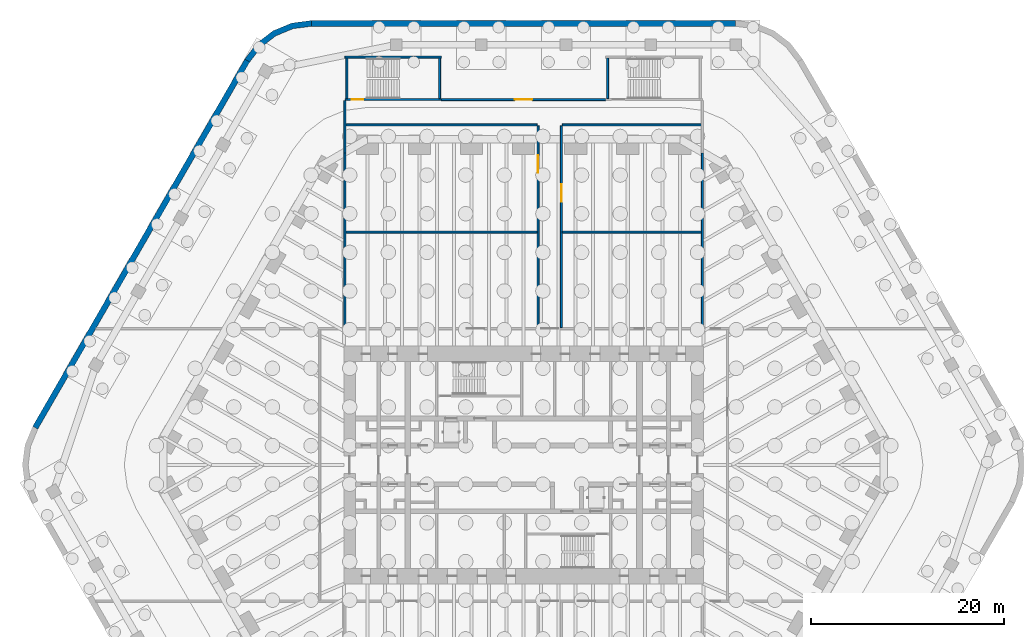
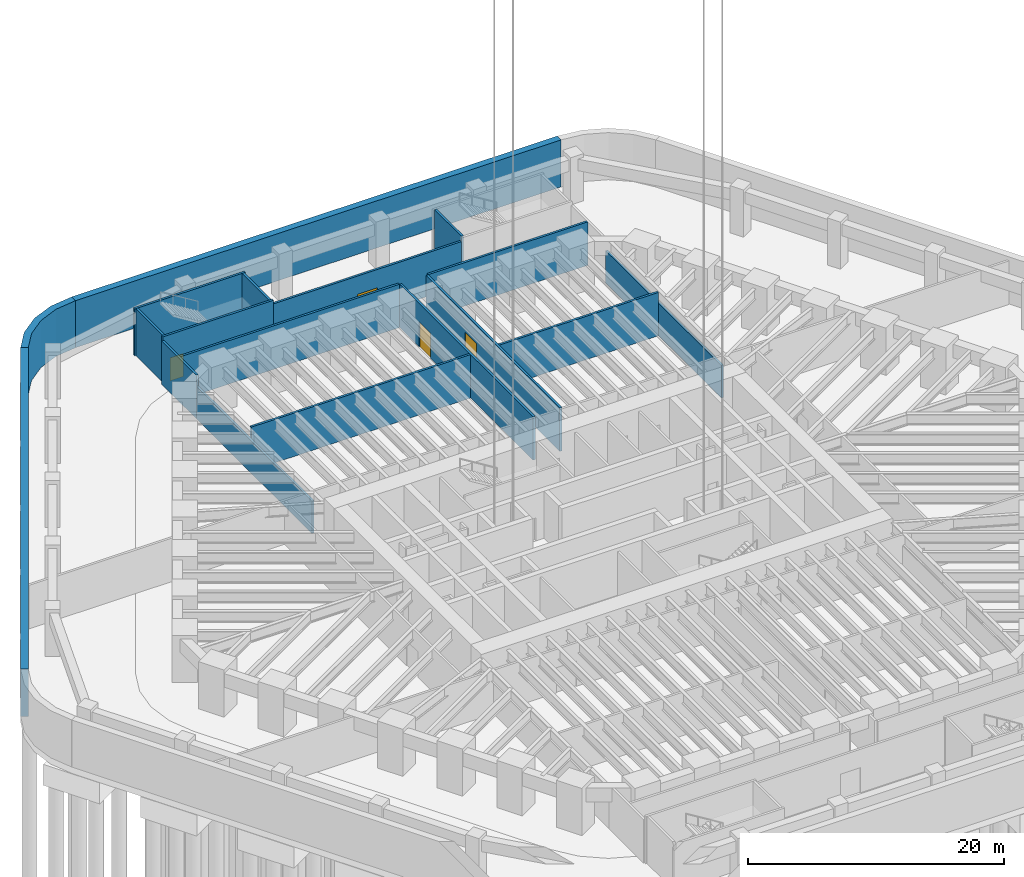
# One storey, part 12 of 17: 18 walls, 4 doors, 4 openings.
"""IFC4 building model written with IfcOpenShell, lengths in metres."""

from ifc_helpers import new_model, si_unit, direction, frame, frame_2d, origin, place, context, subcontext, project, spatial, polyline, rectangle, outline, extrude, material, layer, layer_set, type_object, element, fill, save


model = new_model("IFC4")

# Units and contexts
model_context = context("Model", 3, precision=1e-05, world=origin(), true_north=direction((0.0, 1.0)))
body_context = subcontext(model_context, "Body", "Model", "MODEL_VIEW")
ifc_project = project(units=[si_unit("LENGTHUNIT", "METRE"), si_unit("AREAUNIT", "SQUARE_METRE"), si_unit("VOLUMEUNIT", "CUBIC_METRE"), si_unit("PLANEANGLEUNIT", "RADIAN"), si_unit("MASSUNIT", "GRAM", prefix="KILO")], contexts=[model_context])

# Site, building, storey
site_placement = place(None, origin())
site = spatial("IfcSite", under=ifc_project, at=site_placement, CompositionType="ELEMENT")
building_placement = place(site_placement, origin())
building = spatial("IfcBuilding", under=site, at=building_placement, Name="Tarfa Lantern Tower", CompositionType="ELEMENT")
storey_placement = place(building_placement, frame((0.0, 0.0, -9.0)))
storey = spatial("IfcBuildingStorey", under=building, at=storey_placement, Name="B2", CompositionType="ELEMENT", Elevation=-9.0)

# Walls
ifc_material_1 = material(Name="Concrete blockwork", Category="masonry")
ifc_layer_1 = layer(ifc_material_1, 0.199951171875)
ifc_layer_set_1 = layer_set([ifc_layer_1], Name="IW1 BLOCKWORK PARTITION 200 EI 120")
wall_type_1 = type_object("IfcWallType", Name="IW1 BLOCKWORK PARTITION 200 EI 120", PredefinedType="PARTITIONING", material=ifc_layer_set_1)
wall_1_placement = place(storey_placement, frame((-18.5, 14.199951171875, 0.0), z_axis=(0.0, 0.0, 1.0), x_axis=(0.0, 1.0, 0.0)))
element("IfcWall", 1, at=wall_1_placement, inside=storey, type_object=wall_type_1, Name="Fire-rated partition", PredefinedType="PARTITIONING", context=body_context, shape_type="SweptSolid", body=[
    extrude(rectangle(XDim=18.09033203125, YDim=0.199951171875, at=frame_2d((9.045166015625, 0.0))), origin(), (0.0, 0.0, 1.0), 3.093994140625),
])
wall_2_placement = place(storey_placement, frame((-18.5, 32.290283203125, 0.0), z_axis=(0.0, 0.0, 1.0), x_axis=(0.0, 1.0, 0.0)))
element("IfcWall", 2, at=wall_2_placement, inside=storey, type_object=wall_type_1, Name="Fire-rated partition", PredefinedType="PARTITIONING", context=body_context, shape_type="SweptSolid", body=[
    extrude(rectangle(XDim=5.40966796875, YDim=0.199951171875, at=frame_2d((2.704833984375, 0.0))), origin(), (0.0, 0.0, 1.0), 4.14990234375),
])
wall_3_placement = place(storey_placement, frame((18.5, 14.199951171875, 0.0), z_axis=(0.0, 0.0, 1.0), x_axis=(0.0, 1.0, 0.0)))
element("IfcWall", 3, at=wall_3_placement, inside=storey, type_object=wall_type_1, Name="Fire-rated partition", PredefinedType="PARTITIONING", context=body_context, shape_type="SweptSolid", body=[
    extrude(rectangle(XDim=18.09033203125, YDim=0.199951171875, at=frame_2d((9.045166015625, 0.0))), origin(), (0.0, 0.0, 1.0), 3.093994140625),
])

# Wall, opening, door
wall_4_placement = place(storey_placement, frame((1.5, 14.199951171875, 0.0), z_axis=(0.0, 0.0, 1.0), x_axis=(0.0, 1.0, 0.0)))
wall_4 = element("IfcWall", 4, at=wall_4_placement, inside=storey, type_object=wall_type_1, Name="Fire-rated partition", PredefinedType="PARTITIONING", context=body_context, shape_type="SweptSolid", body=[
    extrude(rectangle(XDim=20.900146484375, YDim=0.199951171875, at=frame_2d((10.4501953125, 0.0))), origin(), (0.0, 0.0, 1.0), 4.14990234375),
])
opening_1_placement = place(wall_4_placement, frame((16.050048828125, 0.0, 0.0)))
opening_1 = element("IfcOpeningElement", 5, at=opening_1_placement, cuts=wall_4, Name="Opening D51", PredefinedType="OPENING", context=body_context, shape_type="SweptSolid", body=[
    extrude(rectangle(XDim=1.800048828125, YDim=2.39990234375, at=frame_2d((0.89990234375, 1.199951171875))), frame((0.0, 0.10986328125, 0.0), z_axis=(0.0, -1.0, 0.0), x_axis=(1.0, 0.0, 0.0)), (0.0, 0.0, 1.0), 0.219970703125),
])
ifc_material_2 = material(Name="Steel fire door", Category="steel")
door_type_1 = type_object("IfcDoorType", Name="DF7 FIRE DOOR 1800x2400", OperationType="DOUBLE_DOOR_SINGLE_SWING", PredefinedType="DOOR", material=ifc_material_2)
door_1_placement = place(opening_1_placement, origin())
door_1 = element("IfcDoor", 6, at=door_1_placement, inside=storey, type_object=door_type_1, Name="Electrical switch room door", OperationType="DOUBLE_DOOR_SINGLE_SWING", OverallHeight=2.39990234375, OverallWidth=1.800048828125, PredefinedType="DOOR", context=body_context, shape_type="SweptSolid", body=[
    extrude(rectangle(XDim=1.800048828125, YDim=2.39990234375, at=frame_2d((0.89990234375, 1.199951171875))), frame((0.0, 0.02490234375, 0.0), z_axis=(0.0, -1.0, 0.0), x_axis=(1.0, 0.0, 0.0)), (0.0, 0.0, 1.0), 0.050048828125),
])
fill(opening_1, door_1)

wall_5_placement = place(storey_placement, frame((3.89990234375, 14.199951171875, 0.0), z_axis=(0.0, 0.0, 1.0), x_axis=(0.0, 1.0, 0.0)))
wall_5 = element("IfcWall", 7, at=wall_5_placement, inside=storey, type_object=wall_type_1, Name="Fire-rated partition", PredefinedType="PARTITIONING", context=body_context, shape_type="SweptSolid", body=[
    extrude(rectangle(XDim=20.900146484375, YDim=0.199951171875, at=frame_2d((10.4501953125, 0.0))), origin(), (0.0, 0.0, 1.0), 4.14990234375),
])
opening_2_placement = place(wall_5_placement, frame((13.050048828125, 0.0, 0.0)))
opening_2 = element("IfcOpeningElement", 8, at=opening_2_placement, cuts=wall_5, Name="Opening D49", PredefinedType="OPENING", context=body_context, shape_type="SweptSolid", body=[
    extrude(rectangle(XDim=1.800048828125, YDim=2.39990234375, at=frame_2d((0.89990234375, 1.199951171875))), frame((0.0, 0.10986328125, 0.0), z_axis=(0.0, -1.0, 0.0), x_axis=(1.0, 0.0, 0.0)), (0.0, 0.0, 1.0), 0.219970703125),
])
door_2_placement = place(opening_2_placement, frame((1.800048828125, 0.0, 0.0), z_axis=(0.0, 0.0, 1.0), x_axis=(-1.0, 0.0, 0.0)))
door_2 = element("IfcDoor", 9, at=door_2_placement, inside=storey, type_object=door_type_1, Name="Sprinkler pump room door", OperationType="DOUBLE_DOOR_SINGLE_SWING", OverallHeight=2.39990234375, OverallWidth=1.800048828125, PredefinedType="DOOR", context=body_context, shape_type="SweptSolid", body=[
    extrude(rectangle(XDim=1.800048828125, YDim=2.39990234375, at=frame_2d((0.89990234375, 1.199951171875))), frame((0.0, 0.02490234375, 0.0), z_axis=(0.0, -1.0, 0.0), x_axis=(1.0, 0.0, 0.0)), (0.0, 0.0, 1.0), 0.050048828125),
])
fill(opening_2, door_2)

# Walls
wall_6_placement = place(storey_placement, frame((-18.39990234375, 24.10009765625, 0.0), z_axis=(0.0, 0.0, 1.0), x_axis=(1.0, 0.0, 0.0)))
element("IfcWall", 10, at=wall_6_placement, inside=storey, type_object=wall_type_1, Name="Fire-rated partition", PredefinedType="PARTITIONING", context=body_context, shape_type="SweptSolid", body=[
    extrude(rectangle(XDim=19.7998046875, YDim=0.199951171875, at=frame_2d((9.89990234375, 0.0))), origin(), (0.0, 0.0, 1.0), 4.14990234375),
])
wall_7_placement = place(storey_placement, frame((4.0, 24.10009765625, 0.0), z_axis=(0.0, 0.0, 1.0), x_axis=(1.0, 0.0, 0.0)))
element("IfcWall", 11, at=wall_7_placement, inside=storey, type_object=wall_type_1, Name="Fire-rated partition", PredefinedType="PARTITIONING", context=body_context, shape_type="SweptSolid", body=[
    extrude(rectangle(XDim=14.39990234375, YDim=0.199951171875, at=frame_2d((7.199951171875, 0.0))), origin(), (0.0, 0.0, 1.0), 4.14990234375),
])
wall_8_placement = place(storey_placement, frame((-18.39990234375, 35.199951171875, 0.0), z_axis=(0.0, 0.0, 1.0), x_axis=(1.0, 0.0, 0.0)))
element("IfcWall", 12, at=wall_8_placement, inside=storey, type_object=wall_type_1, Name="Fire-rated partition", PredefinedType="PARTITIONING", context=body_context, shape_type="SweptSolid", body=[
    extrude(rectangle(XDim=19.7998046875, YDim=0.199951171875, at=frame_2d((9.89990234375, 0.0))), origin(), (0.0, 0.0, 1.0), 4.14990234375),
])
wall_9_placement = place(storey_placement, frame((4.0, 35.199951171875, 0.0), z_axis=(0.0, 0.0, 1.0), x_axis=(1.0, 0.0, 0.0)))
element("IfcWall", 13, at=wall_9_placement, inside=storey, type_object=wall_type_1, Name="Fire-rated partition", PredefinedType="PARTITIONING", context=body_context, shape_type="SweptSolid", body=[
    extrude(rectangle(XDim=14.39990234375, YDim=0.199951171875, at=frame_2d((7.199951171875, 0.0))), origin(), (0.0, 0.0, 1.0), 4.14990234375),
])

# Wall, opening, door
wall_10_placement = place(storey_placement, frame((-8.5, 37.800048828125, 0.0), z_axis=(0.0, 0.0, 1.0), x_axis=(1.0, 0.0, 0.0)))
wall_10 = element("IfcWall", 14, at=wall_10_placement, inside=storey, type_object=wall_type_1, Name="Fire-rated partition", PredefinedType="PARTITIONING", context=body_context, shape_type="SweptSolid", body=[
    extrude(rectangle(XDim=17.0, YDim=0.199951171875, at=frame_2d((8.5, 0.0))), origin(), (0.0, 0.0, 1.0), 4.14990234375),
])
opening_3_placement = place(wall_10_placement, frame((7.60009765625, 0.0, 0.0)))
opening_3 = element("IfcOpeningElement", 15, at=opening_3_placement, cuts=wall_10, Name="Opening D45", PredefinedType="OPENING", context=body_context, shape_type="SweptSolid", body=[
    extrude(rectangle(XDim=1.800048828125, YDim=2.39990234375, at=frame_2d((0.89990234375, 1.199951171875))), frame((0.0, 0.10986328125, 0.0), z_axis=(0.0, -1.0, 0.0), x_axis=(1.0, 0.0, 0.0)), (0.0, 0.0, 1.0), 0.219970703125),
])
door_3_placement = place(opening_3_placement, origin())
door_3 = element("IfcDoor", 16, at=door_3_placement, inside=storey, type_object=door_type_1, Name="Plant room door", OperationType="DOUBLE_DOOR_SINGLE_SWING", OverallHeight=2.39990234375, OverallWidth=1.800048828125, PredefinedType="DOOR", context=body_context, shape_type="SweptSolid", body=[
    extrude(rectangle(XDim=1.800048828125, YDim=2.39990234375, at=frame_2d((0.89990234375, 1.199951171875))), frame((0.0, 0.02490234375, 0.0), z_axis=(0.0, -1.0, 0.0), x_axis=(1.0, 0.0, 0.0)), (0.0, 0.0, 1.0), 0.050048828125),
])
fill(opening_3, door_3)

# Walls
ifc_material_3 = material(Name="Concrete C50/60", Category="concrete")
ifc_layer_2 = layer(ifc_material_3, 0.60009765625)
ifc_layer_set_2 = layer_set([ifc_layer_2], Name="RW1 RETAINING WALL 600")
wall_type_2 = type_object("IfcWallType", Name="RW1 RETAINING WALL 600", PredefinedType="SOLIDWALL", material=ifc_layer_set_2)
wall_11_placement = place(storey_placement, frame((21.939208984375, 45.699951171875, 0.0), z_axis=(0.0, 0.0, 1.0), x_axis=(-1.0, 0.0, 0.0)))
element("IfcWall", 17, at=wall_11_placement, inside=storey, type_object=wall_type_2, Name="Retaining wall N", PredefinedType="SOLIDWALL", context=body_context, shape_type="SweptSolid", body=[
    extrude(rectangle(XDim=43.87841796875, YDim=0.60009765625, at=frame_2d((21.939208984375, 0.0))), origin(), (0.0, 0.0, 1.0), 4.5),
])
wall_12_placement = place(storey_placement, origin())
element("IfcWall", 18, at=wall_12_placement, inside=storey, type_object=wall_type_2, Name="Retaining wall corner N", PredefinedType="SOLIDWALL", context=body_context, shape_type="SweptSolid", body=[
    extrude(outline(polyline([(-21.939208984375, 46.0), (-24.009765625, 45.727294921875), (-25.939208984375, 44.92822265625), (-27.59619140625, 43.65673828125), (-28.867431640625, 42.0), (-28.347900390625, 41.699951171875), (-27.171875, 43.232666015625), (-25.639404296875, 44.40869140625), (-23.8544921875, 45.14794921875), (-21.939208984375, 45.39990234375), (-21.939208984375, 46.0)])), origin(), (0.0, 0.0, 1.0), 4.5),
])
wall_13_placement = place(storey_placement, frame((-28.607666015625, 41.85009765625, 0.0), z_axis=(0.0, 0.0, 1.0), x_axis=(-0.500002442456, -0.866023993627, 0.0)))
element("IfcWall", 19, at=wall_13_placement, inside=storey, type_object=wall_type_2, Name="Retaining wall NW", PredefinedType="SOLIDWALL", context=body_context, shape_type="SweptSolid", body=[
    extrude(rectangle(XDim=43.878662109375, YDim=0.60009765625, at=frame_2d((21.939453125, 0.0))), origin(), (0.0, 0.0, 1.0), 4.5),
])
ifc_material_4 = material(Name="Concrete C80/95", Category="concrete")
ifc_layer_3 = layer(ifc_material_4, 0.199951171875)
ifc_layer_set_3 = layer_set([ifc_layer_3], Name="SW12 CORE WALL 200")
wall_type_3 = type_object("IfcWallType", Name="SW12 CORE WALL 200", PredefinedType="SHEAR", material=ifc_layer_set_3)
wall_14_placement = place(storey_placement, frame((8.699951171875, 42.10009765625, 0.0), z_axis=(0.0, 0.0, 1.0), x_axis=(0.0, -1.0, 0.0)))
element("IfcWall", 20, at=wall_14_placement, inside=storey, type_object=wall_type_3, Name="Stair ST3 shaft wall", PredefinedType="SHEAR", context=body_context, shape_type="SweptSolid", body=[
    extrude(rectangle(XDim=4.2001953125, YDim=0.199951171875, at=frame_2d((2.10009765625, 0.0))), origin(), (0.0, 0.0, 1.0), 4.5),
])

# Wall, opening, door
wall_15_placement = place(storey_placement, frame((-18.5, 37.800048828125, 0.0), z_axis=(0.0, 0.0, 1.0), x_axis=(1.0, 0.0, 0.0)))
wall_15 = element("IfcWall", 21, at=wall_15_placement, inside=storey, type_object=wall_type_3, Name="Stair ST4 shaft wall", PredefinedType="SHEAR", context=body_context, shape_type="SweptSolid", body=[
    extrude(rectangle(XDim=10.0, YDim=0.199951171875, at=frame_2d((5.0, 0.0))), origin(), (0.0, 0.0, 1.0), 4.5),
])
opening_4_placement = place(wall_15_placement, frame((0.699951171875, 0.0, 0.0)))
opening_4 = element("IfcOpeningElement", 22, at=opening_4_placement, cuts=wall_15, Name="Opening D42", PredefinedType="OPENING", context=body_context, shape_type="SweptSolid", body=[
    extrude(rectangle(XDim=1.199951171875, YDim=2.199951171875, at=frame_2d((0.60009765625, 1.10009765625))), frame((0.0, 0.10986328125, 0.0), z_axis=(0.0, -1.0, 0.0), x_axis=(1.0, 0.0, 0.0)), (0.0, 0.0, 1.0), 0.219970703125),
])
door_type_2 = type_object("IfcDoorType", Name="DF9 STAIR DOOR 1200x2200", OperationType="SINGLE_SWING_LEFT", PredefinedType="DOOR", material=ifc_material_2)
door_4_placement = place(opening_4_placement, origin())
door_4 = element("IfcDoor", 23, at=door_4_placement, inside=storey, type_object=door_type_2, Name="Stair door", OperationType="SINGLE_SWING_RIGHT", OverallHeight=2.199951171875, OverallWidth=1.199951171875, PredefinedType="DOOR", context=body_context, shape_type="SweptSolid", body=[
    extrude(rectangle(XDim=1.199951171875, YDim=2.199951171875, at=frame_2d((0.60009765625, 1.10009765625))), frame((0.0, 0.02490234375, 0.0), z_axis=(0.0, -1.0, 0.0), x_axis=(1.0, 0.0, 0.0)), (0.0, 0.0, 1.0), 0.050048828125),
])
fill(opening_4, door_4)

# Walls
wall_16_placement = place(storey_placement, frame((-8.5, 42.199951171875, 0.0), z_axis=(0.0, 0.0, 1.0), x_axis=(-1.0, 0.0, 0.0)))
element("IfcWall", 24, at=wall_16_placement, inside=storey, type_object=wall_type_3, Name="Stair ST4 shaft wall", PredefinedType="SHEAR", context=body_context, shape_type="SweptSolid", body=[
    extrude(rectangle(XDim=10.0, YDim=0.199951171875, at=frame_2d((5.0, 0.0))), origin(), (0.0, 0.0, 1.0), 4.5),
])
for number, where, z_axis, x_axis, name in (
    (25, (-18.300048828125, 42.10009765625, 0.0), (0.0, 0.0, 1.0), (0.0, -1.0, 0.0), "Stair ST4 shaft wall"),
    (26, (-8.699951171875, 37.89990234375, 0.0), (0.0, 0.0, 1.0), (0.0, 1.0, 0.0), "Stair ST4 shaft wall"),
):
    element("IfcWall", number, at=place(storey_placement, frame(where, z_axis=z_axis, x_axis=x_axis)), inside=storey, type_object=wall_type_3, Name=name, PredefinedType="SHEAR", context=body_context, shape_type="SweptSolid", body=[
        extrude(rectangle(XDim=4.2001953125, YDim=0.199951171875, at=frame_2d((2.10009765625, 0.0))), origin(), (0.0, 0.0, 1.0), 4.5),
    ])

save(model, "model.ifc")
